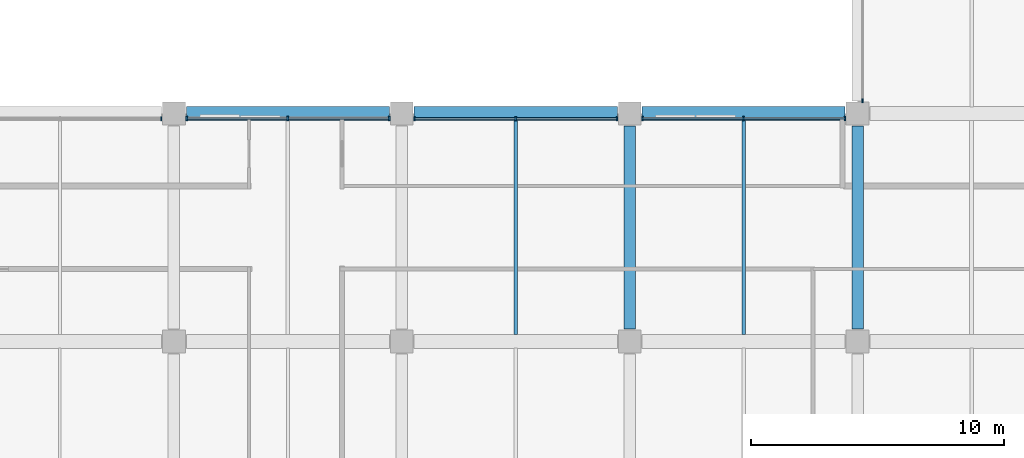
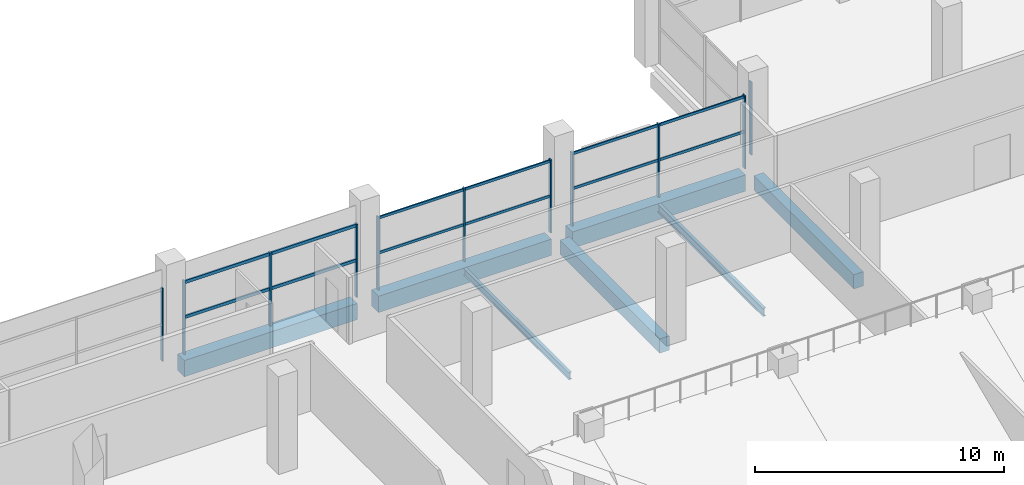
# One storey, part 34 of 100: 17 members, 7 beams, 5 elements without a shape of their own.
"""IFC4 building model written with IfcOpenShell, lengths in metres."""

from ifc_helpers import new_model, si_unit, direction, frame, origin, origin_2d, place, context, subcontext, project, spatial, rectangle, i_section, extrude, material, material_profile, profile_set, type_object, element, aggregate, save


model = new_model("IFC4")

# Units and contexts
model_context = context("Model", 3, precision=1e-05, world=origin(), true_north=direction((0.0, 1.0)))
body_context = subcontext(model_context, "Body", "Model", "MODEL_VIEW")
ifc_project = project(units=[si_unit("LENGTHUNIT", "METRE"), si_unit("AREAUNIT", "SQUARE_METRE"), si_unit("VOLUMEUNIT", "CUBIC_METRE"), si_unit("PLANEANGLEUNIT", "RADIAN"), si_unit("MASSUNIT", "GRAM", prefix="KILO"), si_unit("THERMODYNAMICTEMPERATUREUNIT", "KELVIN"), si_unit("POWERUNIT", "WATT")], contexts=[model_context])

# Site, building, storey
site_placement = place(None, origin())
site = spatial("IfcSite", under=ifc_project, at=site_placement, CompositionType="ELEMENT")
building_placement = place(site_placement, origin())
building = spatial("IfcBuilding", under=site, at=building_placement, Name="Sindhuravela Promenade Stadium", CompositionType="ELEMENT")
storey_placement = place(building_placement, frame((0.0, 0.0, 4.800048828125)))
storey = spatial("IfcBuildingStorey", under=building, at=storey_placement, Name="L01", CompositionType="ELEMENT", Elevation=4.800048828125)

# Curtain wall, members
ifc_material_1 = material(Name="Anodised architectural aluminium 6063-T6", Category="aluminium")
curtain_wall_type_1 = type_object("IfcCurtainWallType", Name="CW-MOD-1", PredefinedType="NOTDEFINED", material=ifc_material_1)
curtain_wall_1_placement = place(storey_placement, origin())
curtain_wall_1 = element("IfcCurtainWall", 1, at=curtain_wall_1_placement, inside=storey, type_object=curtain_wall_type_1, Name="Bronze curtain wall CW-NORTH-L01-144", PredefinedType="NOTDEFINED")
ifc_material_profile_1 = material_profile(ifc_material_1, rectangle(XDim=0.074951171875, YDim=0.175048828125, at=origin_2d()), Name="ALU MULL 75x175")
ifc_profile_set_1 = profile_set([ifc_material_profile_1], Name="Anodised architectural aluminium 6063-T6")
member_type_1 = type_object("IfcMemberType", Name="CW-MUL-1", PredefinedType="MULLION", material=ifc_profile_set_1)
member_1_placement = place(storey_placement, frame((99.5, 152.800048828125, 0.0), z_axis=(0.0, 0.0, 1.0), x_axis=(1.0, 0.0, 0.0)))
member_1 = element("IfcMember", 2, at=member_1_placement, type_object=member_type_1, Name="Curtain wall mullion CW-NORTH-L01-144-M1", PredefinedType="MULLION", context=body_context, shape_type="SweptSolid", body=[
    extrude(rectangle(XDim=0.074951171875, YDim=0.175048828125, at=origin_2d()), origin(), (0.0, 0.0, 1.0), 3.579833984375),
])
member_2_placement = place(storey_placement, frame((103.5, 152.800048828125, 0.0), z_axis=(0.0, 0.0, 1.0), x_axis=(1.0, 0.0, 0.0)))
member_2 = element("IfcMember", 3, at=member_2_placement, type_object=member_type_1, Name="Curtain wall mullion CW-NORTH-L01-144-M2", PredefinedType="MULLION", context=body_context, shape_type="SweptSolid", body=[
    extrude(rectangle(XDim=0.074951171875, YDim=0.175048828125, at=origin_2d()), origin(), (0.0, 0.0, 1.0), 3.579833984375),
])
member_3_placement = place(storey_placement, frame((107.5, 152.800048828125, 0.0), z_axis=(0.0, 0.0, 1.0), x_axis=(1.0, 0.0, 0.0)))
member_3 = element("IfcMember", 4, at=member_3_placement, type_object=member_type_1, Name="Curtain wall mullion CW-NORTH-L01-144-M3", PredefinedType="MULLION", context=body_context, shape_type="SweptSolid", body=[
    extrude(rectangle(XDim=0.074951171875, YDim=0.175048828125, at=origin_2d()), origin(), (0.0, 0.0, 1.0), 3.579833984375),
])

curtain_wall_type_2 = type_object("IfcCurtainWallType", Name="CW-MOD-2", PredefinedType="NOTDEFINED", material=ifc_material_1)
curtain_wall_2_placement = place(storey_placement, origin())
curtain_wall_2 = element("IfcCurtainWall", 5, at=curtain_wall_2_placement, inside=storey, type_object=curtain_wall_type_2, Name="Bronze curtain wall CW-NORTH-L01-145", PredefinedType="NOTDEFINED")
ifc_material_profile_2 = material_profile(ifc_material_1, rectangle(XDim=0.06494140625, YDim=0.14990234375, at=origin_2d()), Name="ALU MULL 65x150")
ifc_profile_set_2 = profile_set([ifc_material_profile_2], Name="Anodised architectural aluminium 6063-T6")
member_type_2 = type_object("IfcMemberType", Name="CW-MUL-2", PredefinedType="MULLION", material=ifc_profile_set_2)
member_4_placement = place(storey_placement, frame((108.5, 152.800048828125, 0.0), z_axis=(0.0, 0.0, 1.0), x_axis=(1.0, 0.0, 0.0)))
member_4 = element("IfcMember", 6, at=member_4_placement, type_object=member_type_2, Name="Curtain wall mullion CW-NORTH-L01-145-M1", PredefinedType="MULLION", context=body_context, shape_type="SweptSolid", body=[
    extrude(rectangle(XDim=0.06494140625, YDim=0.14990234375, at=origin_2d()), origin(), (0.0, 0.0, 1.0), 3.579833984375),
])
member_5_placement = place(storey_placement, frame((112.5, 152.800048828125, 0.0), z_axis=(0.0, 0.0, 1.0), x_axis=(1.0, 0.0, 0.0)))
member_5 = element("IfcMember", 7, at=member_5_placement, type_object=member_type_2, Name="Curtain wall mullion CW-NORTH-L01-145-M2", PredefinedType="MULLION", context=body_context, shape_type="SweptSolid", body=[
    extrude(rectangle(XDim=0.06494140625, YDim=0.14990234375, at=origin_2d()), origin(), (0.0, 0.0, 1.0), 3.579833984375),
])
member_6_placement = place(storey_placement, frame((116.5, 152.800048828125, 0.0), z_axis=(0.0, 0.0, 1.0), x_axis=(1.0, 0.0, 0.0)))
member_6 = element("IfcMember", 8, at=member_6_placement, type_object=member_type_2, Name="Curtain wall mullion CW-NORTH-L01-145-M3", PredefinedType="MULLION", context=body_context, shape_type="SweptSolid", body=[
    extrude(rectangle(XDim=0.06494140625, YDim=0.14990234375, at=origin_2d()), origin(), (0.0, 0.0, 1.0), 3.579833984375),
])

curtain_wall_type_3 = type_object("IfcCurtainWallType", Name="CW-MOD-3", PredefinedType="NOTDEFINED", material=ifc_material_1)
curtain_wall_3_placement = place(storey_placement, origin())
curtain_wall_3 = element("IfcCurtainWall", 9, at=curtain_wall_3_placement, inside=storey, type_object=curtain_wall_type_3, Name="Bronze curtain wall CW-NORTH-L01-146", PredefinedType="NOTDEFINED")
ifc_material_profile_3 = material_profile(ifc_material_1, rectangle(XDim=0.06005859375, YDim=0.179931640625, at=origin_2d()), Name="ALU M60x180")
ifc_profile_set_3 = profile_set([ifc_material_profile_3], Name="Anodised architectural aluminium 6063-T6")
member_type_3 = type_object("IfcMemberType", Name="CW-MUL-3", PredefinedType="MULLION", material=ifc_profile_set_3)
member_7_placement = place(storey_placement, frame((117.5, 152.800048828125, 0.0), z_axis=(0.0, 0.0, 1.0), x_axis=(1.0, 0.0, 0.0)))
member_7 = element("IfcMember", 10, at=member_7_placement, type_object=member_type_3, Name="Curtain wall mullion CW-NORTH-L01-146-M1", PredefinedType="MULLION", context=body_context, shape_type="SweptSolid", body=[
    extrude(rectangle(XDim=0.06005859375, YDim=0.179931640625, at=origin_2d()), origin(), (0.0, 0.0, 1.0), 3.579833984375),
])
member_8_placement = place(storey_placement, frame((121.5, 152.800048828125, 0.0), z_axis=(0.0, 0.0, 1.0), x_axis=(1.0, 0.0, 0.0)))
member_8 = element("IfcMember", 11, at=member_8_placement, type_object=member_type_3, Name="Curtain wall mullion CW-NORTH-L01-146-M2", PredefinedType="MULLION", context=body_context, shape_type="SweptSolid", body=[
    extrude(rectangle(XDim=0.06005859375, YDim=0.179931640625, at=origin_2d()), origin(), (0.0, 0.0, 1.0), 3.579833984375),
])
member_9_placement = place(storey_placement, frame((125.5, 152.800048828125, 0.0), z_axis=(0.0, 0.0, 1.0), x_axis=(1.0, 0.0, 0.0)))
member_9 = element("IfcMember", 12, at=member_9_placement, type_object=member_type_3, Name="Curtain wall mullion CW-NORTH-L01-146-M3", PredefinedType="MULLION", context=body_context, shape_type="SweptSolid", body=[
    extrude(rectangle(XDim=0.06005859375, YDim=0.179931640625, at=origin_2d()), origin(), (0.0, 0.0, 1.0), 3.579833984375),
])

# Curtain wall, member
curtain_wall_type_4 = type_object("IfcCurtainWallType", Name="CW-MOD-4", PredefinedType="NOTDEFINED", material=ifc_material_1)
curtain_wall_4_placement = place(storey_placement, origin())
curtain_wall_4 = element("IfcCurtainWall", 13, at=curtain_wall_4_placement, inside=storey, type_object=curtain_wall_type_4, Name="Bronze curtain wall CW-NORTH-L01-147", PredefinedType="NOTDEFINED")
ifc_material_profile_4 = material_profile(ifc_material_1, rectangle(XDim=0.06005859375, YDim=0.159912109375, at=origin_2d()), Name="ALU M60x160")
ifc_profile_set_4 = profile_set([ifc_material_profile_4], Name="Anodised architectural aluminium 6063-T6")
member_type_4 = type_object("IfcMemberType", Name="CW-MUL-4", PredefinedType="MULLION", material=ifc_profile_set_4)
member_10_placement = place(storey_placement, frame((126.199951171875, 153.5, 0.0), z_axis=(0.0, 0.0, 1.0), x_axis=(1.0, 0.0, 0.0)))
member_10 = element("IfcMember", 14, at=member_10_placement, type_object=member_type_4, Name="Curtain wall mullion CW-NORTH-L01-147-M1", PredefinedType="MULLION", context=body_context, shape_type="SweptSolid", body=[
    extrude(rectangle(XDim=0.06005859375, YDim=0.159912109375, at=origin_2d()), origin(), (0.0, 0.0, 1.0), 3.579833984375),
])
aggregate(curtain_wall_4, [member_10])

curtain_wall_type_5 = type_object("IfcCurtainWallType", Name="CW-MOD-8", PredefinedType="NOTDEFINED", material=ifc_material_1)
curtain_wall_5_placement = place(storey_placement, origin())
curtain_wall_5 = element("IfcCurtainWall", 15, at=curtain_wall_5_placement, inside=storey, type_object=curtain_wall_type_5, Name="Bronze curtain wall CW-NORTH-L01-143", PredefinedType="NOTDEFINED")
ifc_material_profile_5 = material_profile(ifc_material_1, rectangle(XDim=0.054931640625, YDim=0.14990234375, at=origin_2d()), Name="ALU M55x150")
ifc_profile_set_5 = profile_set([ifc_material_profile_5], Name="Anodised architectural aluminium 6063-T6")
member_type_5 = type_object("IfcMemberType", Name="CW-MUL-6", PredefinedType="MULLION", material=ifc_profile_set_5)
member_11_placement = place(storey_placement, frame((98.5, 152.800048828125, 0.0), z_axis=(0.0, 0.0, 1.0), x_axis=(1.0, 0.0, 0.0)))
member_11 = element("IfcMember", 16, at=member_11_placement, type_object=member_type_5, Name="Curtain wall mullion CW-NORTH-L01-143-M3", PredefinedType="MULLION", context=body_context, shape_type="SweptSolid", body=[
    extrude(rectangle(XDim=0.054931640625, YDim=0.14990234375, at=origin_2d()), origin(), (0.0, 0.0, 1.0), 3.579833984375),
])
aggregate(curtain_wall_5, [member_11])

# Member
ifc_material_profile_6 = material_profile(ifc_material_1, rectangle(XDim=0.074951171875, YDim=0.14990234375, at=origin_2d()), Name="ALU TRAN 75x150")
ifc_profile_set_6 = profile_set([ifc_material_profile_6], Name="Anodised architectural aluminium 6063-T6")
member_type_6 = type_object("IfcMemberType", Name="CW-TRN-1", PredefinedType="USERDEFINED", material=ifc_profile_set_6)
member_12_placement = place(storey_placement, frame((99.47509765625, 152.800048828125, 1.7900390625), z_axis=(1.0, 0.0, 0.0), x_axis=(0.0, 1.0, 0.0)))
member_12 = element("IfcMember", 17, at=member_12_placement, type_object=member_type_6, Name="Curtain wall transom CW-NORTH-L01-144-T1", ObjectType="TRANSOM", PredefinedType="USERDEFINED", context=body_context, shape_type="SweptSolid", body=[
    extrude(rectangle(XDim=0.074951171875, YDim=0.14990234375, at=origin_2d()), origin(), (0.0, 0.0, 1.0), 8.0498046875),
])

member_13_placement = place(storey_placement, frame((99.47509765625, 152.800048828125, 3.5), z_axis=(1.0, 0.0, 0.0), x_axis=(0.0, 1.0, 0.0)))
member_13 = element("IfcMember", 18, at=member_13_placement, type_object=member_type_6, Name="Curtain wall transom CW-NORTH-L01-144-T2", ObjectType="TRANSOM", PredefinedType="USERDEFINED", context=body_context, shape_type="SweptSolid", body=[
    extrude(rectangle(XDim=0.074951171875, YDim=0.14990234375, at=origin_2d()), origin(), (0.0, 0.0, 1.0), 8.0498046875),
])

aggregate(curtain_wall_1, [member_1, member_2, member_3, member_12, member_13])

ifc_material_profile_7 = material_profile(ifc_material_1, rectangle(XDim=0.06494140625, YDim=0.125, at=origin_2d()), Name="ALU TRAN 65x125")
ifc_profile_set_7 = profile_set([ifc_material_profile_7], Name="Anodised architectural aluminium 6063-T6")
member_type_7 = type_object("IfcMemberType", Name="CW-TRN-2", PredefinedType="USERDEFINED", material=ifc_profile_set_7)
member_14_placement = place(storey_placement, frame((108.47509765625, 152.800048828125, 1.7900390625), z_axis=(1.0, 0.0, 0.0), x_axis=(0.0, 1.0, 0.0)))
member_14 = element("IfcMember", 19, at=member_14_placement, type_object=member_type_7, Name="Curtain wall transom CW-NORTH-L01-145-T1", ObjectType="TRANSOM", PredefinedType="USERDEFINED", context=body_context, shape_type="SweptSolid", body=[
    extrude(rectangle(XDim=0.06494140625, YDim=0.125, at=origin_2d()), origin(), (0.0, 0.0, 1.0), 8.0498046875),
])

member_15_placement = place(storey_placement, frame((108.47509765625, 152.800048828125, 3.5), z_axis=(1.0, 0.0, 0.0), x_axis=(0.0, 1.0, 0.0)))
member_15 = element("IfcMember", 20, at=member_15_placement, type_object=member_type_7, Name="Curtain wall transom CW-NORTH-L01-145-T2", ObjectType="TRANSOM", PredefinedType="USERDEFINED", context=body_context, shape_type="SweptSolid", body=[
    extrude(rectangle(XDim=0.06494140625, YDim=0.125, at=origin_2d()), origin(), (0.0, 0.0, 1.0), 8.0498046875),
])

aggregate(curtain_wall_2, [member_4, member_5, member_6, member_14, member_15])

ifc_material_profile_8 = material_profile(ifc_material_1, rectangle(XDim=0.06005859375, YDim=0.1298828125, at=origin_2d()), Name="ALU T60x130")
ifc_profile_set_8 = profile_set([ifc_material_profile_8], Name="Anodised architectural aluminium 6063-T6")
member_type_8 = type_object("IfcMemberType", Name="CW-TRN-3", PredefinedType="USERDEFINED", material=ifc_profile_set_8)
member_16_placement = place(storey_placement, frame((117.47509765625, 152.800048828125, 1.7900390625), z_axis=(1.0, 0.0, 0.0), x_axis=(0.0, 1.0, 0.0)))
member_16 = element("IfcMember", 21, at=member_16_placement, type_object=member_type_8, Name="Curtain wall transom CW-NORTH-L01-146-T1", ObjectType="TRANSOM", PredefinedType="USERDEFINED", context=body_context, shape_type="SweptSolid", body=[
    extrude(rectangle(XDim=0.06005859375, YDim=0.1298828125, at=origin_2d()), origin(), (0.0, 0.0, 1.0), 8.0498046875),
])

member_17_placement = place(storey_placement, frame((117.47509765625, 152.800048828125, 3.5), z_axis=(1.0, 0.0, 0.0), x_axis=(0.0, 1.0, 0.0)))
member_17 = element("IfcMember", 22, at=member_17_placement, type_object=member_type_8, Name="Curtain wall transom CW-NORTH-L01-146-T2", ObjectType="TRANSOM", PredefinedType="USERDEFINED", context=body_context, shape_type="SweptSolid", body=[
    extrude(rectangle(XDim=0.06005859375, YDim=0.1298828125, at=origin_2d()), origin(), (0.0, 0.0, 1.0), 8.0498046875),
])

aggregate(curtain_wall_3, [member_7, member_8, member_9, member_16, member_17])

# Beams
ifc_material_2 = material(Name="Concrete M40", Category="concrete")
ifc_material_profile_9 = material_profile(ifc_material_2, rectangle(XDim=0.449951171875, YDim=0.699951171875, at=origin_2d()), Name="RC 450x700")
ifc_profile_set_9 = profile_set([ifc_material_profile_9], Name="Concrete M40")
beam_type_1 = type_object("IfcBeamType", Name="RC-BM-450x700", PredefinedType="BEAM", material=ifc_profile_set_9)
for number, where, z_axis, x_axis, name in (
    (23, (117.0, 144.489990234375, -0.650146484375), (0.0, 1.0, 0.0), (-1.0, 0.0, 0.0), "Primary beam GB07 NORTH L01"),
    (24, (126.0, 144.489990234375, -0.650146484375), (0.0, 1.0, 0.0), (-1.0, 0.0, 0.0), "Primary beam GB07 NORTH L01"),
):
    element("IfcBeam", number, at=place(storey_placement, frame(where, z_axis=z_axis, x_axis=x_axis)), inside=storey, type_object=beam_type_1, Name=name, PredefinedType="BEAM", context=body_context, shape_type="SweptSolid", body=[
        extrude(rectangle(XDim=0.449951171875, YDim=0.699951171875, at=origin_2d()), origin(), (0.0, 0.0, 1.0), 8.02001953125),
    ])
ifc_material_profile_10 = material_profile(ifc_material_2, rectangle(XDim=0.550048828125, YDim=0.800048828125, at=origin_2d()), Name="RC 550x800")
ifc_profile_set_10 = profile_set([ifc_material_profile_10], Name="Concrete M40")
beam_type_2 = type_object("IfcBeamType", Name="RC-BM-550x800", PredefinedType="BEAM", material=ifc_profile_set_10)
for number, where, z_axis, x_axis, name in (
    (25, (99.489990234375, 153.0, -0.699951171875), (1.0, 0.0, 0.0), (0.0, 1.0, 0.0), "Primary girder GB05 NORTH L01"),
    (26, (108.489990234375, 153.0, -0.699951171875), (1.0, 0.0, 0.0), (0.0, 1.0, 0.0), "Primary girder GB05 NORTH L01"),
    (27, (117.489990234375, 153.0, -0.699951171875), (1.0, 0.0, 0.0), (0.0, 1.0, 0.0), "Primary girder GB05 NORTH L01"),
):
    element("IfcBeam", number, at=place(storey_placement, frame(where, z_axis=z_axis, x_axis=x_axis)), inside=storey, type_object=beam_type_2, Name=name, PredefinedType="BEAM", context=body_context, shape_type="SweptSolid", body=[
        extrude(rectangle(XDim=0.550048828125, YDim=0.800048828125, at=origin_2d()), origin(), (0.0, 0.0, 1.0), 8.02001953125),
    ])
ifc_material_3 = material(Name="Steel E350 (IS 2062 E350BR)", Category="steel")
ifc_material_profile_11 = material_profile(ifc_material_3, i_section(OverallWidth=0.139892578125, OverallDepth=0.35009765625, WebThickness=0.008056640625, FlangeThickness=0.01416015625, FilletRadius=0.013916015625, at=origin_2d()), Name="ISMB 350")
ifc_profile_set_11 = profile_set([ifc_material_profile_11], Name="Steel E350 (IS 2062 E350BR)")
beam_type_3 = type_object("IfcBeamType", Name="ST-BM-MB350", PredefinedType="JOIST", material=ifc_profile_set_11)
beam_1_placement = place(storey_placement, frame((112.5, 144.264892578125, -0.47509765625), z_axis=(0.0, 1.0, 0.0), x_axis=(-1.0, 0.0, 0.0)))
element("IfcBeam", 28, at=beam_1_placement, inside=storey, type_object=beam_type_3, Name="Secondary floor joist SB04 NORTH L01", PredefinedType="JOIST", context=body_context, shape_type="SweptSolid", body=[
    extrude(i_section(OverallWidth=0.139892578125, OverallDepth=0.35009765625, WebThickness=0.008056640625, FlangeThickness=0.01416015625, FilletRadius=0.013916015625, at=origin_2d()), origin(), (0.0, 0.0, 1.0), 8.47021484375),
])
ifc_material_profile_12 = material_profile(ifc_material_3, i_section(OverallWidth=0.139892578125, OverallDepth=0.39990234375, WebThickness=0.0087890625, FlangeThickness=0.01611328125, FilletRadius=0.013916015625, at=origin_2d()), Name="ISMB 400")
ifc_profile_set_12 = profile_set([ifc_material_profile_12], Name="Steel E350 (IS 2062 E350BR)")
beam_type_4 = type_object("IfcBeamType", Name="ST-BM-MB400", PredefinedType="BEAM", material=ifc_profile_set_12)
beam_2_placement = place(storey_placement, frame((121.5, 144.264892578125, -0.5), z_axis=(0.0, 1.0, 0.0), x_axis=(-1.0, 0.0, 0.0)))
element("IfcBeam", 29, at=beam_2_placement, inside=storey, type_object=beam_type_4, Name="Secondary floor joist SB05 NORTH L01", PredefinedType="BEAM", context=body_context, shape_type="SweptSolid", body=[
    extrude(i_section(OverallWidth=0.139892578125, OverallDepth=0.39990234375, WebThickness=0.0087890625, FlangeThickness=0.01611328125, FilletRadius=0.013916015625, at=origin_2d()), origin(), (0.0, 0.0, 1.0), 8.47021484375),
])

save(model, "model.ifc")
